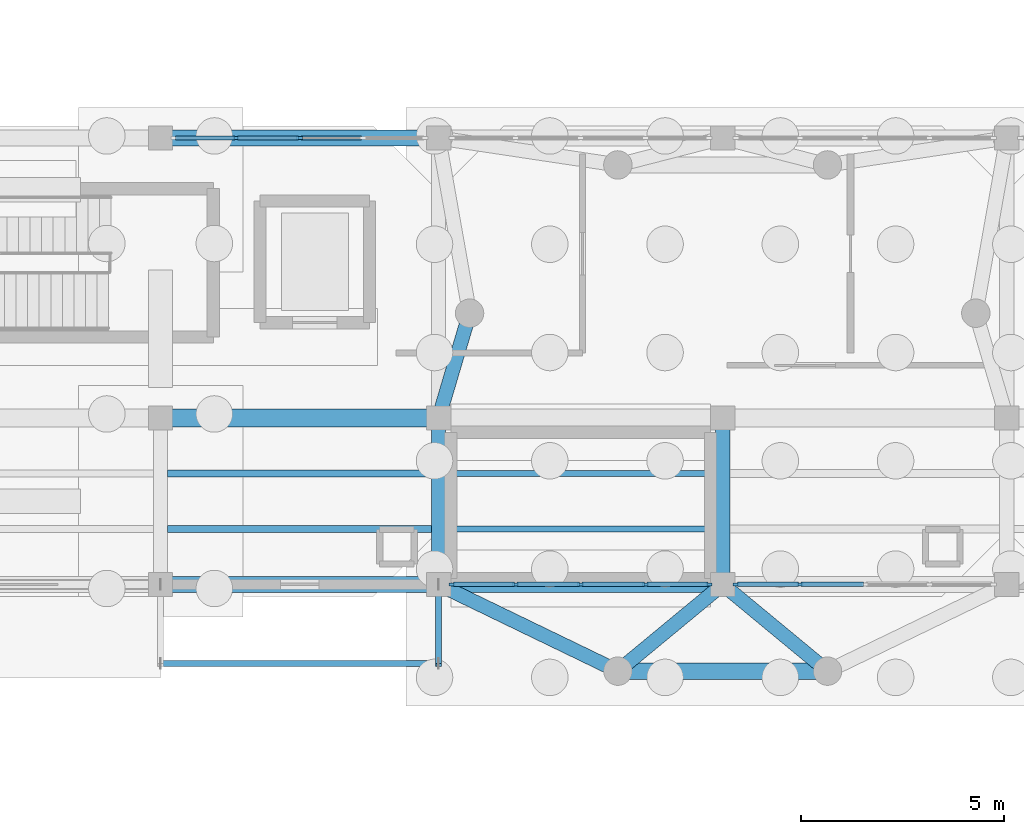
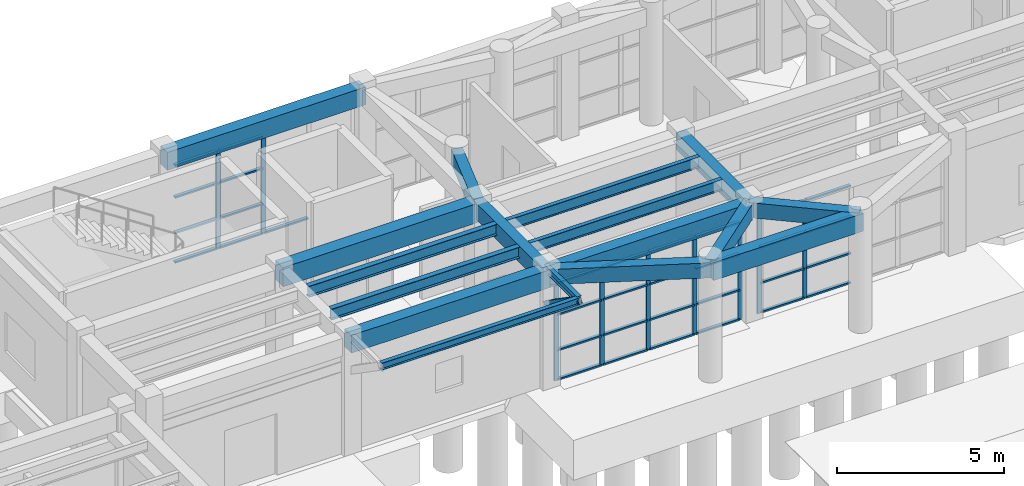
# One storey, part 10 of 41: 43 members, 17 beams, 3 elements without a shape of their own.
"""IFC4 building model written with IfcOpenShell, lengths in metres."""

import ifcopenshell
import ifcopenshell.guid

model = None  # the IFC model being written
_history = None  # IfcOwnerHistory: only IFC2X3 demands one
_inside = {}  # id of a spatial element -> (the spatial element, [elements in it])
_under = {}  # id of a project, library or spatial element -> (it, [spatial elements below it])
_declared = {}  # id of a project -> (the project, [libraries it declares])
_typed = {}  # id of a type object -> (the type object, [elements of that type])
_made_of = {}  # id of a material, layer set ... -> (it, [elements and type objects made of it])


def new_model(schema):
    """Start an empty IFC model of exactly this schema.

    Asked for "IFC4X3", IfcOpenShell would pick the latest addendum, in which some entities
    have other attributes; the version numbers below select the first issue.
    IFC2X3 requires an IfcOwnerHistory on every rooted entity: one is made here for all.
    """
    global model, _history
    if schema == "IFC4X3":
        model = ifcopenshell.file(schema_version=(4, 3, 0, 0))
    else:
        model = ifcopenshell.file(schema=schema)
    _inside.clear()
    _under.clear()
    _declared.clear()
    _typed.clear()
    _made_of.clear()
    _history = None
    if model.schema == "IFC2X3":
        org = make("IfcOrganization", Name="unknown")
        user = make(
            "IfcPersonAndOrganization",
            ThePerson=make("IfcPerson", FamilyName="unknown"),
            TheOrganization=org,
        )
        app = make(
            "IfcApplication",
            ApplicationDeveloper=org,
            Version="unknown",
            ApplicationFullName="unknown",
            ApplicationIdentifier="unknown",
        )
        _history = make(
            "IfcOwnerHistory",
            OwningUser=user,
            OwningApplication=app,
            ChangeAction="ADDED",
            CreationDate=0,
        )
    return model


def make(cls, **values):
    """One entity of the class cls with the attributes given. An attribute that is None is left unset."""
    return model.create_entity(
        cls, **{name: value for name, value in values.items() if value is not None}
    )


def rooted(cls, **values):
    """An entity with a GlobalId (a new one), such as an element, a storey or a relation."""
    return make(cls, GlobalId=ifcopenshell.guid.new(), OwnerHistory=_history, **values)


def si_unit(unit_type, name, prefix=None):
    """IfcSIUnit, for example si_unit("LENGTHUNIT", "METRE", prefix="MILLI")."""
    return make("IfcSIUnit", UnitType=unit_type, Prefix=prefix, Name=name)


def assignment(units):
    """IfcUnitAssignment: the units of a project."""
    return None if units is None else make("IfcUnitAssignment", Units=units)


def point(xyz):
    """IfcCartesianPoint."""
    return None if xyz is None else make("IfcCartesianPoint", Coordinates=xyz)


def direction(xyz):
    """IfcDirection."""
    return None if xyz is None else make("IfcDirection", DirectionRatios=xyz)


def frame(location, z_axis=None, x_axis=None):
    """IfcAxis2Placement3D, a coordinate frame: its origin and axes. An axis left out is left unset."""
    return make(
        "IfcAxis2Placement3D",
        Location=point(location),
        Axis=direction(z_axis),
        RefDirection=direction(x_axis),
    )


def frame_2d(location, x_axis=None):
    """IfcAxis2Placement2D, a coordinate frame in the plane: its origin and x axis."""
    return make(
        "IfcAxis2Placement2D", Location=point(location), RefDirection=direction(x_axis)
    )


def origin():
    """The frame at (0, 0, 0) with its axes left unset."""
    return frame((0.0, 0.0, 0.0))


def origin_2d():
    """The frame at (0, 0) in the plane with its x axis left unset."""
    return frame_2d((0.0, 0.0))


def place(relative_to, where):
    """IfcLocalPlacement: puts the frame where relative to a parent placement (None: the world)."""
    return make(
        "IfcLocalPlacement", PlacementRelTo=relative_to, RelativePlacement=where
    )


def context(
    kind, dimensions, precision=None, world=None, true_north=None, identifier=None
):
    """IfcGeometricRepresentationContext, for example the 3D "Model" context."""
    return make(
        "IfcGeometricRepresentationContext",
        ContextIdentifier=identifier,
        ContextType=kind,
        CoordinateSpaceDimension=dimensions,
        Precision=precision,
        WorldCoordinateSystem=world,
        TrueNorth=true_north,
    )


def subcontext(parent, identifier, kind, view, scale=None):
    """IfcGeometricRepresentationSubContext, for example "Body" below "Model"."""
    return make(
        "IfcGeometricRepresentationSubContext",
        ContextIdentifier=identifier,
        ContextType=kind,
        ParentContext=parent,
        TargetScale=scale,
        TargetView=view,
    )


def project(units=None, contexts=None):
    """IfcProject with its units and contexts."""
    return rooted(
        "IfcProject",
        Name="project",
        RepresentationContexts=contexts,
        UnitsInContext=assignment(units),
    )


def spatial(cls, under=None, at=None, **own):
    """A site, building, storey or space (cls), placed at a placement, below another one or the project."""
    s = rooted(cls, ObjectPlacement=at, **own)
    if under is not None:
        _under.setdefault(under.id(), (under, []))[1].append(s)
    return s


def profile(cls, at=None, kind="AREA", **sizes):
    """A parametric profile (cls). Its sizes go by their IFC names, for example OverallWidth=200.0."""
    return make(cls, ProfileType=kind, Position=at, **sizes)


def rectangle(**sizes):
    """IfcRectangleProfileDef."""
    return profile("IfcRectangleProfileDef", **sizes)


def hollow_rectangle(**sizes):
    """IfcRectangleHollowProfileDef."""
    return profile("IfcRectangleHollowProfileDef", **sizes)


def i_section(**sizes):
    """IfcIShapeProfileDef."""
    return profile("IfcIShapeProfileDef", **sizes)


def extrude(swept, where, along, depth):
    """IfcExtrudedAreaSolid: the profile swept, set in the frame where, extruded along a direction by depth."""
    return make(
        "IfcExtrudedAreaSolid",
        SweptArea=swept,
        Position=where,
        ExtrudedDirection=direction(along),
        Depth=depth,
    )


def shape(context_of_items, identifier, shape_type, items):
    """IfcShapeRepresentation: the items that make up one representation, for example the "Body"."""
    return make(
        "IfcShapeRepresentation",
        ContextOfItems=context_of_items,
        RepresentationIdentifier=identifier,
        RepresentationType=shape_type,
        Items=items,
    )


def material(Name=None, Category=None):
    """IfcMaterial."""
    return make("IfcMaterial", Name=Name, Category=Category)


def layer(
    of_material, thickness, ventilated=None, Name=None, Category=None, Priority=None
):
    """IfcMaterialLayer: one layer of a wall or slab, of a material (None: an air gap)."""
    return make(
        "IfcMaterialLayer",
        Material=of_material,
        LayerThickness=thickness,
        IsVentilated=ventilated,
        Name=Name,
        Category=Category,
        Priority=Priority,
    )


def layer_set(layers, Name=None):
    """IfcMaterialLayerSet."""
    return make("IfcMaterialLayerSet", MaterialLayers=layers, LayerSetName=Name)


def material_profile(
    of_material, cross_section, Name=None, Category=None, Priority=None
):
    """IfcMaterialProfile: a cross section and its material."""
    return make(
        "IfcMaterialProfile",
        Name=Name,
        Material=of_material,
        Profile=cross_section,
        Priority=Priority,
        Category=Category,
    )


def profile_set(profiles, Name=None, composite=None):
    """IfcMaterialProfileSet."""
    return make(
        "IfcMaterialProfileSet",
        Name=Name,
        MaterialProfiles=profiles,
        CompositeProfile=composite,
    )


def made_of(thing, what):
    """Note that an element or type object is made of a material, layer set ...; save() writes the relation."""
    if what is not None:
        _made_of.setdefault(what.id(), (what, []))[1].append(thing)
    return thing


def type_object(cls, material=None, **own):
    """A type object (cls), such as IfcWallType, which elements share."""
    return made_of(rooted(cls, **own), material)


def element(
    cls,
    number,
    at=None,
    inside=None,
    cuts=None,
    type_object=None,
    material=None,
    context=None,
    identifier="Body",
    shape_type=None,
    held_by="IfcProductDefinitionShape",
    body=None,
    shapes=None,
    **own,
):
    """One element of the class cls, such as IfcWall. Its Tag is "e" and its number.

    at: its placement. inside: the storey or other place that contains it. cuts: it is an
    opening in that element (IfcRelVoidsElement). A single representation is given by context,
    identifier, shape_type and body (its items); several are given by shapes. held_by: the class
    of the entity that holds the representations. save() writes the other relations.
    """
    e = rooted(cls, Tag="e%d" % number, ObjectPlacement=at, **own)
    if body is not None:
        shapes = [shape(context, identifier, shape_type, body)]
    if shapes is not None:
        e.Representation = make(held_by, Representations=shapes)
    if inside is not None:
        _inside.setdefault(inside.id(), (inside, []))[1].append(e)
    if cuts is not None:
        rooted(
            "IfcRelVoidsElement", RelatingBuildingElement=cuts, RelatedOpeningElement=e
        )
    if type_object is not None:
        _typed.setdefault(type_object.id(), (type_object, []))[1].append(e)
    return made_of(e, material)


def aggregate(whole, parts):
    """IfcRelAggregates: a whole, such as a stair, and the parts it consists of."""
    return rooted("IfcRelAggregates", RelatingObject=whole, RelatedObjects=parts)


def save(model, path):
    """Write the relations noted so far, then the file.

    IfcRelAggregates (storeys below a building ...), IfcRelContainedInSpatialStructure (elements
    in a storey), IfcRelDefinesByType, IfcRelAssociatesMaterial and IfcRelDeclares: one each for
    every whole, place, type object, material and project.
    """
    for whole, parts in _under.values():
        aggregate(whole, parts)
    for where, things in _inside.values():
        rooted(
            "IfcRelContainedInSpatialStructure",
            RelatedElements=things,
            RelatingStructure=where,
        )
    for kind, things in _typed.values():
        rooted("IfcRelDefinesByType", RelatedObjects=things, RelatingType=kind)
    for what, things in _made_of.values():
        rooted("IfcRelAssociatesMaterial", RelatedObjects=things, RelatingMaterial=what)
    for by, libraries in _declared.values():
        rooted("IfcRelDeclares", RelatingContext=by, RelatedDefinitions=libraries)
    model.write(path)


model = new_model("IFC4")

# Units and contexts
model_context = context("Model", 3, precision=1e-05, world=origin(), true_north=direction((0.0, 1.0)))
body_context = subcontext(model_context, "Body", "Model", "MODEL_VIEW")
ifc_project = project(units=[si_unit("LENGTHUNIT", "METRE"), si_unit("AREAUNIT", "SQUARE_METRE"), si_unit("VOLUMEUNIT", "CUBIC_METRE"), si_unit("PLANEANGLEUNIT", "RADIAN"), si_unit("MASSUNIT", "GRAM", prefix="KILO")], contexts=[model_context])

# Site, building, storey
site_placement = place(None, origin())
site = spatial("IfcSite", under=ifc_project, at=site_placement, CompositionType="ELEMENT")
building_placement = place(site_placement, origin())
building = spatial("IfcBuilding", under=site, at=building_placement, Name="Candilejo Ridge Gondola Terminal", CompositionType="ELEMENT")
storey_placement = place(building_placement, origin())
storey = spatial("IfcBuildingStorey", under=building, at=storey_placement, Name="L00", CompositionType="ELEMENT", Elevation=0.0)

# Curtain wall, members
ifc_material_1 = material(Name="Anodised aluminium AA 6063-T6", Category="aluminium")
ifc_layer_1 = layer(ifc_material_1, 0.169921875)
ifc_layer_set_1 = layer_set([ifc_layer_1], Name="ARC-CW-DRUM-3400-625X359")
curtain_wall_type_1 = type_object("IfcCurtainWallType", Name="ARC-CW-DRUM-3400-625X359", PredefinedType="NOTDEFINED", material=ifc_layer_set_1)
curtain_wall_1_placement = place(storey_placement, origin())
curtain_wall_1 = element("IfcCurtainWall", 1, at=curtain_wall_1_placement, inside=storey, type_object=curtain_wall_type_1, Name="Curtain wall V2 L00-028", PredefinedType="NOTDEFINED")
ifc_material_2 = material(Name="Anodised aluminium AA 6063-T6", Category="aluminium")
ifc_material_profile_1 = material_profile(ifc_material_2, rectangle(XDim=0.06494140625, YDim=0.14990234375, at=origin_2d()))
ifc_profile_set_1 = profile_set([ifc_material_profile_1], Name="Anodised aluminium AA 6063-T6")
member_type_1 = type_object("IfcMemberType", Name="ARC-CW-MULLION-150", PredefinedType="MULLION", material=ifc_profile_set_1)
member_1_placement = place(storey_placement, frame((53.362548828125, 36.699951171875, 0.0), z_axis=(0.0, 0.0, 1.0), x_axis=(0.0, 1.0, 0.0)))
member_1 = element("IfcMember", 2, at=member_1_placement, type_object=member_type_1, Name="CW-62X35 mullion 2", PredefinedType="MULLION", context=body_context, shape_type="SweptSolid", body=[
    extrude(rectangle(XDim=0.06494140625, YDim=0.14990234375, at=origin_2d()), origin(), (0.0, 0.0, 1.0), 3.590087890625),
])
member_2_placement = place(storey_placement, frame((54.925048828125, 36.699951171875, 0.0), z_axis=(0.0, 0.0, 1.0), x_axis=(0.0, 1.0, 0.0)))
member_2 = element("IfcMember", 3, at=member_2_placement, type_object=member_type_1, Name="CW-62X35 mullion 3", PredefinedType="MULLION", context=body_context, shape_type="SweptSolid", body=[
    extrude(rectangle(XDim=0.06494140625, YDim=0.14990234375, at=origin_2d()), origin(), (0.0, 0.0, 1.0), 3.590087890625),
])

ifc_material_3 = material(Name="Anodised aluminium AA 6063-T6", Category="aluminium")
ifc_layer_2 = layer(ifc_material_3, 0.169921875)
ifc_layer_set_2 = layer_set([ifc_layer_2], Name="ARC-CW-DRUM-3400-640X359")
curtain_wall_type_2 = type_object("IfcCurtainWallType", Name="ARC-CW-DRUM-3400-640X359", PredefinedType="NOTDEFINED", material=ifc_layer_set_2)
curtain_wall_2_placement = place(storey_placement, origin())
curtain_wall_2 = element("IfcCurtainWall", 4, at=curtain_wall_2_placement, inside=storey, type_object=curtain_wall_type_2, Name="Curtain wall V2 L00-030", PredefinedType="NOTDEFINED")
member_3_placement = place(storey_placement, frame((58.6826171875, 25.699951171875, 0.0), z_axis=(0.0, 0.0, 1.0), x_axis=(0.0, 1.0, 0.0)))
member_3 = element("IfcMember", 5, at=member_3_placement, type_object=member_type_1, Name="CW-64X35 mullion 1", PredefinedType="MULLION", context=body_context, shape_type="SweptSolid", body=[
    extrude(rectangle(XDim=0.06494140625, YDim=0.14990234375, at=origin_2d()), origin(), (0.0, 0.0, 1.0), 3.590087890625),
])
member_4_placement = place(storey_placement, frame((60.25, 25.699951171875, 0.0), z_axis=(0.0, 0.0, 1.0), x_axis=(0.0, 1.0, 0.0)))
member_4 = element("IfcMember", 6, at=member_4_placement, type_object=member_type_1, Name="CW-64X35 mullion 2", PredefinedType="MULLION", context=body_context, shape_type="SweptSolid", body=[
    extrude(rectangle(XDim=0.06494140625, YDim=0.14990234375, at=origin_2d()), origin(), (0.0, 0.0, 1.0), 3.590087890625),
])
member_5_placement = place(storey_placement, frame((61.85009765625, 25.699951171875, 0.0), z_axis=(0.0, 0.0, 1.0), x_axis=(0.0, 1.0, 0.0)))
member_5 = element("IfcMember", 7, at=member_5_placement, type_object=member_type_1, Name="CW-64X35 mullion 3", PredefinedType="MULLION", context=body_context, shape_type="SweptSolid", body=[
    extrude(rectangle(XDim=0.06494140625, YDim=0.14990234375, at=origin_2d()), origin(), (0.0, 0.0, 1.0), 3.590087890625),
])
member_6_placement = place(storey_placement, frame((63.449951171875, 25.699951171875, 0.0), z_axis=(0.0, 0.0, 1.0), x_axis=(0.0, 1.0, 0.0)))
member_6 = element("IfcMember", 8, at=member_6_placement, type_object=member_type_1, Name="CW-64X35 mullion 4", PredefinedType="MULLION", context=body_context, shape_type="SweptSolid", body=[
    extrude(rectangle(XDim=0.06494140625, YDim=0.14990234375, at=origin_2d()), origin(), (0.0, 0.0, 1.0), 3.590087890625),
])
member_7_placement = place(storey_placement, frame((65.017578125, 25.699951171875, 0.0), z_axis=(0.0, 0.0, 1.0), x_axis=(0.0, 1.0, 0.0)))
member_7 = element("IfcMember", 9, at=member_7_placement, type_object=member_type_1, Name="CW-64X35 mullion 5", PredefinedType="MULLION", context=body_context, shape_type="SweptSolid", body=[
    extrude(rectangle(XDim=0.06494140625, YDim=0.14990234375, at=origin_2d()), origin(), (0.0, 0.0, 1.0), 3.590087890625),
])

curtain_wall_3_placement = place(storey_placement, origin())
curtain_wall_3 = element("IfcCurtainWall", 10, at=curtain_wall_3_placement, inside=storey, type_object=curtain_wall_type_2, Name="Curtain wall V2 L00-032", PredefinedType="NOTDEFINED")
member_8_placement = place(storey_placement, frame((65.6826171875, 25.699951171875, 0.0), z_axis=(0.0, 0.0, 1.0), x_axis=(0.0, 1.0, 0.0)))
member_8 = element("IfcMember", 11, at=member_8_placement, type_object=member_type_1, Name="CW-64X35 mullion 1", PredefinedType="MULLION", context=body_context, shape_type="SweptSolid", body=[
    extrude(rectangle(XDim=0.06494140625, YDim=0.14990234375, at=origin_2d()), origin(), (0.0, 0.0, 1.0), 3.590087890625),
])
member_9_placement = place(storey_placement, frame((67.25, 25.699951171875, 0.0), z_axis=(0.0, 0.0, 1.0), x_axis=(0.0, 1.0, 0.0)))
member_9 = element("IfcMember", 12, at=member_9_placement, type_object=member_type_1, Name="CW-64X35 mullion 2", PredefinedType="MULLION", context=body_context, shape_type="SweptSolid", body=[
    extrude(rectangle(XDim=0.06494140625, YDim=0.14990234375, at=origin_2d()), origin(), (0.0, 0.0, 1.0), 3.590087890625),
])

# Member
ifc_material_4 = material(Name="Anodised aluminium AA 6063-T6", Category="aluminium")
ifc_material_profile_2 = material_profile(ifc_material_4, rectangle(XDim=0.110107421875, YDim=0.06005859375, at=origin_2d()))
ifc_profile_set_2 = profile_set([ifc_material_profile_2], Name="Anodised aluminium AA 6063-T6")
member_type_2 = type_object("IfcMemberType", Name="ARC-CW-TRANSOM-110", PredefinedType="USERDEFINED", material=ifc_profile_set_2)
member_10_placement = place(storey_placement, frame((51.864990234375, 36.699951171875, 0.030029296875), z_axis=(1.0, 0.0, 0.0), x_axis=(0.0, 1.0, 0.0)))
member_10 = element("IfcMember", 13, at=member_10_placement, type_object=member_type_2, Name="CW-62X35 transom 1.1", ObjectType="TRANSOM", PredefinedType="USERDEFINED", context=body_context, shape_type="SweptSolid", body=[
    extrude(rectangle(XDim=0.110107421875, YDim=0.06005859375, at=origin_2d()), origin(), (0.0, 0.0, 1.0), 1.465087890625),
])

member_11_placement = place(storey_placement, frame((51.864990234375, 36.699951171875, 1.10009765625), z_axis=(1.0, 0.0, 0.0), x_axis=(0.0, 1.0, 0.0)))
member_11 = element("IfcMember", 14, at=member_11_placement, type_object=member_type_2, Name="CW-62X35 transom 1.2", ObjectType="TRANSOM", PredefinedType="USERDEFINED", context=body_context, shape_type="SweptSolid", body=[
    extrude(rectangle(XDim=0.110107421875, YDim=0.06005859375, at=origin_2d()), origin(), (0.0, 0.0, 1.0), 1.465087890625),
])

member_12_placement = place(storey_placement, frame((51.864990234375, 36.699951171875, 2.39990234375), z_axis=(1.0, 0.0, 0.0), x_axis=(0.0, 1.0, 0.0)))
member_12 = element("IfcMember", 15, at=member_12_placement, type_object=member_type_2, Name="CW-62X35 transom 1.3", ObjectType="TRANSOM", PredefinedType="USERDEFINED", context=body_context, shape_type="SweptSolid", body=[
    extrude(rectangle(XDim=0.110107421875, YDim=0.06005859375, at=origin_2d()), origin(), (0.0, 0.0, 1.0), 1.465087890625),
])

member_13_placement = place(storey_placement, frame((51.864990234375, 36.699951171875, 3.56005859375), z_axis=(1.0, 0.0, 0.0), x_axis=(0.0, 1.0, 0.0)))
member_13 = element("IfcMember", 16, at=member_13_placement, type_object=member_type_2, Name="CW-62X35 transom 1.4", ObjectType="TRANSOM", PredefinedType="USERDEFINED", context=body_context, shape_type="SweptSolid", body=[
    extrude(rectangle(XDim=0.110107421875, YDim=0.06005859375, at=origin_2d()), origin(), (0.0, 0.0, 1.0), 1.465087890625),
])

member_14_placement = place(storey_placement, frame((53.39501953125, 36.699951171875, 0.030029296875), z_axis=(1.0, 0.0, 0.0), x_axis=(0.0, 1.0, 0.0)))
member_14 = element("IfcMember", 17, at=member_14_placement, type_object=member_type_2, Name="CW-62X35 transom 2.1", ObjectType="TRANSOM", PredefinedType="USERDEFINED", context=body_context, shape_type="SweptSolid", body=[
    extrude(rectangle(XDim=0.110107421875, YDim=0.06005859375, at=origin_2d()), origin(), (0.0, 0.0, 1.0), 1.49755859375),
])

member_15_placement = place(storey_placement, frame((53.39501953125, 36.699951171875, 1.10009765625), z_axis=(1.0, 0.0, 0.0), x_axis=(0.0, 1.0, 0.0)))
member_15 = element("IfcMember", 18, at=member_15_placement, type_object=member_type_2, Name="CW-62X35 transom 2.2", ObjectType="TRANSOM", PredefinedType="USERDEFINED", context=body_context, shape_type="SweptSolid", body=[
    extrude(rectangle(XDim=0.110107421875, YDim=0.06005859375, at=origin_2d()), origin(), (0.0, 0.0, 1.0), 1.49755859375),
])

member_16_placement = place(storey_placement, frame((53.39501953125, 36.699951171875, 2.39990234375), z_axis=(1.0, 0.0, 0.0), x_axis=(0.0, 1.0, 0.0)))
member_16 = element("IfcMember", 19, at=member_16_placement, type_object=member_type_2, Name="CW-62X35 transom 2.3", ObjectType="TRANSOM", PredefinedType="USERDEFINED", context=body_context, shape_type="SweptSolid", body=[
    extrude(rectangle(XDim=0.110107421875, YDim=0.06005859375, at=origin_2d()), origin(), (0.0, 0.0, 1.0), 1.49755859375),
])

member_17_placement = place(storey_placement, frame((53.39501953125, 36.699951171875, 3.56005859375), z_axis=(1.0, 0.0, 0.0), x_axis=(0.0, 1.0, 0.0)))
member_17 = element("IfcMember", 20, at=member_17_placement, type_object=member_type_2, Name="CW-62X35 transom 2.4", ObjectType="TRANSOM", PredefinedType="USERDEFINED", context=body_context, shape_type="SweptSolid", body=[
    extrude(rectangle(XDim=0.110107421875, YDim=0.06005859375, at=origin_2d()), origin(), (0.0, 0.0, 1.0), 1.49755859375),
])

member_18_placement = place(storey_placement, frame((54.95751953125, 36.699951171875, 0.030029296875), z_axis=(1.0, 0.0, 0.0), x_axis=(0.0, 1.0, 0.0)))
member_18 = element("IfcMember", 21, at=member_18_placement, type_object=member_type_2, Name="CW-62X35 transom 3.1", ObjectType="TRANSOM", PredefinedType="USERDEFINED", context=body_context, shape_type="SweptSolid", body=[
    extrude(rectangle(XDim=0.110107421875, YDim=0.06005859375, at=origin_2d()), origin(), (0.0, 0.0, 1.0), 1.49755859375),
])

aggregate(curtain_wall_1, [member_1, member_2, member_10, member_11, member_12, member_13, member_14, member_15, member_16, member_17, member_18])

member_19_placement = place(storey_placement, frame((58.715087890625, 25.699951171875, 0.030029296875), z_axis=(1.0, 0.0, 0.0), x_axis=(0.0, 1.0, 0.0)))
member_19 = element("IfcMember", 22, at=member_19_placement, type_object=member_type_2, Name="CW-64X35 transom 1.1", ObjectType="TRANSOM", PredefinedType="USERDEFINED", context=body_context, shape_type="SweptSolid", body=[
    extrude(rectangle(XDim=0.110107421875, YDim=0.06005859375, at=origin_2d()), origin(), (0.0, 0.0, 1.0), 1.50244140625),
])

member_20_placement = place(storey_placement, frame((58.715087890625, 25.699951171875, 1.10009765625), z_axis=(1.0, 0.0, 0.0), x_axis=(0.0, 1.0, 0.0)))
member_20 = element("IfcMember", 23, at=member_20_placement, type_object=member_type_2, Name="CW-64X35 transom 1.2", ObjectType="TRANSOM", PredefinedType="USERDEFINED", context=body_context, shape_type="SweptSolid", body=[
    extrude(rectangle(XDim=0.110107421875, YDim=0.06005859375, at=origin_2d()), origin(), (0.0, 0.0, 1.0), 1.50244140625),
])

member_21_placement = place(storey_placement, frame((58.715087890625, 25.699951171875, 2.39990234375), z_axis=(1.0, 0.0, 0.0), x_axis=(0.0, 1.0, 0.0)))
member_21 = element("IfcMember", 24, at=member_21_placement, type_object=member_type_2, Name="CW-64X35 transom 1.3", ObjectType="TRANSOM", PredefinedType="USERDEFINED", context=body_context, shape_type="SweptSolid", body=[
    extrude(rectangle(XDim=0.110107421875, YDim=0.06005859375, at=origin_2d()), origin(), (0.0, 0.0, 1.0), 1.50244140625),
])

member_22_placement = place(storey_placement, frame((58.715087890625, 25.699951171875, 3.56005859375), z_axis=(1.0, 0.0, 0.0), x_axis=(0.0, 1.0, 0.0)))
member_22 = element("IfcMember", 25, at=member_22_placement, type_object=member_type_2, Name="CW-64X35 transom 1.4", ObjectType="TRANSOM", PredefinedType="USERDEFINED", context=body_context, shape_type="SweptSolid", body=[
    extrude(rectangle(XDim=0.110107421875, YDim=0.06005859375, at=origin_2d()), origin(), (0.0, 0.0, 1.0), 1.50244140625),
])

member_23_placement = place(storey_placement, frame((60.282470703125, 25.699951171875, 0.030029296875), z_axis=(1.0, 0.0, 0.0), x_axis=(0.0, 1.0, 0.0)))
member_23 = element("IfcMember", 26, at=member_23_placement, type_object=member_type_2, Name="CW-64X35 transom 2.1", ObjectType="TRANSOM", PredefinedType="USERDEFINED", context=body_context, shape_type="SweptSolid", body=[
    extrude(rectangle(XDim=0.110107421875, YDim=0.06005859375, at=origin_2d()), origin(), (0.0, 0.0, 1.0), 1.534912109375),
])

member_24_placement = place(storey_placement, frame((60.282470703125, 25.699951171875, 1.10009765625), z_axis=(1.0, 0.0, 0.0), x_axis=(0.0, 1.0, 0.0)))
member_24 = element("IfcMember", 27, at=member_24_placement, type_object=member_type_2, Name="CW-64X35 transom 2.2", ObjectType="TRANSOM", PredefinedType="USERDEFINED", context=body_context, shape_type="SweptSolid", body=[
    extrude(rectangle(XDim=0.110107421875, YDim=0.06005859375, at=origin_2d()), origin(), (0.0, 0.0, 1.0), 1.534912109375),
])

member_25_placement = place(storey_placement, frame((60.282470703125, 25.699951171875, 2.39990234375), z_axis=(1.0, 0.0, 0.0), x_axis=(0.0, 1.0, 0.0)))
member_25 = element("IfcMember", 28, at=member_25_placement, type_object=member_type_2, Name="CW-64X35 transom 2.3", ObjectType="TRANSOM", PredefinedType="USERDEFINED", context=body_context, shape_type="SweptSolid", body=[
    extrude(rectangle(XDim=0.110107421875, YDim=0.06005859375, at=origin_2d()), origin(), (0.0, 0.0, 1.0), 1.534912109375),
])

member_26_placement = place(storey_placement, frame((60.282470703125, 25.699951171875, 3.56005859375), z_axis=(1.0, 0.0, 0.0), x_axis=(0.0, 1.0, 0.0)))
member_26 = element("IfcMember", 29, at=member_26_placement, type_object=member_type_2, Name="CW-64X35 transom 2.4", ObjectType="TRANSOM", PredefinedType="USERDEFINED", context=body_context, shape_type="SweptSolid", body=[
    extrude(rectangle(XDim=0.110107421875, YDim=0.06005859375, at=origin_2d()), origin(), (0.0, 0.0, 1.0), 1.534912109375),
])

member_27_placement = place(storey_placement, frame((61.882568359375, 25.699951171875, 0.030029296875), z_axis=(1.0, 0.0, 0.0), x_axis=(0.0, 1.0, 0.0)))
member_27 = element("IfcMember", 30, at=member_27_placement, type_object=member_type_2, Name="CW-64X35 transom 3.1", ObjectType="TRANSOM", PredefinedType="USERDEFINED", context=body_context, shape_type="SweptSolid", body=[
    extrude(rectangle(XDim=0.110107421875, YDim=0.06005859375, at=origin_2d()), origin(), (0.0, 0.0, 1.0), 1.534912109375),
])

member_28_placement = place(storey_placement, frame((61.882568359375, 25.699951171875, 1.10009765625), z_axis=(1.0, 0.0, 0.0), x_axis=(0.0, 1.0, 0.0)))
member_28 = element("IfcMember", 31, at=member_28_placement, type_object=member_type_2, Name="CW-64X35 transom 3.2", ObjectType="TRANSOM", PredefinedType="USERDEFINED", context=body_context, shape_type="SweptSolid", body=[
    extrude(rectangle(XDim=0.110107421875, YDim=0.06005859375, at=origin_2d()), origin(), (0.0, 0.0, 1.0), 1.534912109375),
])

member_29_placement = place(storey_placement, frame((61.882568359375, 25.699951171875, 2.39990234375), z_axis=(1.0, 0.0, 0.0), x_axis=(0.0, 1.0, 0.0)))
member_29 = element("IfcMember", 32, at=member_29_placement, type_object=member_type_2, Name="CW-64X35 transom 3.3", ObjectType="TRANSOM", PredefinedType="USERDEFINED", context=body_context, shape_type="SweptSolid", body=[
    extrude(rectangle(XDim=0.110107421875, YDim=0.06005859375, at=origin_2d()), origin(), (0.0, 0.0, 1.0), 1.534912109375),
])

member_30_placement = place(storey_placement, frame((61.882568359375, 25.699951171875, 3.56005859375), z_axis=(1.0, 0.0, 0.0), x_axis=(0.0, 1.0, 0.0)))
member_30 = element("IfcMember", 33, at=member_30_placement, type_object=member_type_2, Name="CW-64X35 transom 3.4", ObjectType="TRANSOM", PredefinedType="USERDEFINED", context=body_context, shape_type="SweptSolid", body=[
    extrude(rectangle(XDim=0.110107421875, YDim=0.06005859375, at=origin_2d()), origin(), (0.0, 0.0, 1.0), 1.534912109375),
])

member_31_placement = place(storey_placement, frame((63.482421875, 25.699951171875, 0.030029296875), z_axis=(1.0, 0.0, 0.0), x_axis=(0.0, 1.0, 0.0)))
member_31 = element("IfcMember", 34, at=member_31_placement, type_object=member_type_2, Name="CW-64X35 transom 4.1", ObjectType="TRANSOM", PredefinedType="USERDEFINED", context=body_context, shape_type="SweptSolid", body=[
    extrude(rectangle(XDim=0.110107421875, YDim=0.06005859375, at=origin_2d()), origin(), (0.0, 0.0, 1.0), 1.502685546875),
])

member_32_placement = place(storey_placement, frame((63.482421875, 25.699951171875, 1.10009765625), z_axis=(1.0, 0.0, 0.0), x_axis=(0.0, 1.0, 0.0)))
member_32 = element("IfcMember", 35, at=member_32_placement, type_object=member_type_2, Name="CW-64X35 transom 4.2", ObjectType="TRANSOM", PredefinedType="USERDEFINED", context=body_context, shape_type="SweptSolid", body=[
    extrude(rectangle(XDim=0.110107421875, YDim=0.06005859375, at=origin_2d()), origin(), (0.0, 0.0, 1.0), 1.502685546875),
])

member_33_placement = place(storey_placement, frame((63.482421875, 25.699951171875, 2.39990234375), z_axis=(1.0, 0.0, 0.0), x_axis=(0.0, 1.0, 0.0)))
member_33 = element("IfcMember", 36, at=member_33_placement, type_object=member_type_2, Name="CW-64X35 transom 4.3", ObjectType="TRANSOM", PredefinedType="USERDEFINED", context=body_context, shape_type="SweptSolid", body=[
    extrude(rectangle(XDim=0.110107421875, YDim=0.06005859375, at=origin_2d()), origin(), (0.0, 0.0, 1.0), 1.502685546875),
])

member_34_placement = place(storey_placement, frame((63.482421875, 25.699951171875, 3.56005859375), z_axis=(1.0, 0.0, 0.0), x_axis=(0.0, 1.0, 0.0)))
member_34 = element("IfcMember", 37, at=member_34_placement, type_object=member_type_2, Name="CW-64X35 transom 4.4", ObjectType="TRANSOM", PredefinedType="USERDEFINED", context=body_context, shape_type="SweptSolid", body=[
    extrude(rectangle(XDim=0.110107421875, YDim=0.06005859375, at=origin_2d()), origin(), (0.0, 0.0, 1.0), 1.502685546875),
])

aggregate(curtain_wall_2, [member_3, member_4, member_5, member_6, member_7, member_19, member_20, member_21, member_22, member_23, member_24, member_25, member_26, member_27, member_28, member_29, member_30, member_31, member_32, member_33, member_34])

member_35_placement = place(storey_placement, frame((65.715087890625, 25.699951171875, 0.030029296875), z_axis=(1.0, 0.0, 0.0), x_axis=(0.0, 1.0, 0.0)))
member_35 = element("IfcMember", 38, at=member_35_placement, type_object=member_type_2, Name="CW-64X35 transom 1.1", ObjectType="TRANSOM", PredefinedType="USERDEFINED", context=body_context, shape_type="SweptSolid", body=[
    extrude(rectangle(XDim=0.110107421875, YDim=0.06005859375, at=origin_2d()), origin(), (0.0, 0.0, 1.0), 1.50244140625),
])

member_36_placement = place(storey_placement, frame((65.715087890625, 25.699951171875, 1.10009765625), z_axis=(1.0, 0.0, 0.0), x_axis=(0.0, 1.0, 0.0)))
member_36 = element("IfcMember", 39, at=member_36_placement, type_object=member_type_2, Name="CW-64X35 transom 1.2", ObjectType="TRANSOM", PredefinedType="USERDEFINED", context=body_context, shape_type="SweptSolid", body=[
    extrude(rectangle(XDim=0.110107421875, YDim=0.06005859375, at=origin_2d()), origin(), (0.0, 0.0, 1.0), 1.50244140625),
])

member_37_placement = place(storey_placement, frame((65.715087890625, 25.699951171875, 2.39990234375), z_axis=(1.0, 0.0, 0.0), x_axis=(0.0, 1.0, 0.0)))
member_37 = element("IfcMember", 40, at=member_37_placement, type_object=member_type_2, Name="CW-64X35 transom 1.3", ObjectType="TRANSOM", PredefinedType="USERDEFINED", context=body_context, shape_type="SweptSolid", body=[
    extrude(rectangle(XDim=0.110107421875, YDim=0.06005859375, at=origin_2d()), origin(), (0.0, 0.0, 1.0), 1.50244140625),
])

member_38_placement = place(storey_placement, frame((65.715087890625, 25.699951171875, 3.56005859375), z_axis=(1.0, 0.0, 0.0), x_axis=(0.0, 1.0, 0.0)))
member_38 = element("IfcMember", 41, at=member_38_placement, type_object=member_type_2, Name="CW-64X35 transom 1.4", ObjectType="TRANSOM", PredefinedType="USERDEFINED", context=body_context, shape_type="SweptSolid", body=[
    extrude(rectangle(XDim=0.110107421875, YDim=0.06005859375, at=origin_2d()), origin(), (0.0, 0.0, 1.0), 1.50244140625),
])

member_39_placement = place(storey_placement, frame((67.282470703125, 25.699951171875, 0.030029296875), z_axis=(1.0, 0.0, 0.0), x_axis=(0.0, 1.0, 0.0)))
member_39 = element("IfcMember", 42, at=member_39_placement, type_object=member_type_2, Name="CW-64X35 transom 2.1", ObjectType="TRANSOM", PredefinedType="USERDEFINED", context=body_context, shape_type="SweptSolid", body=[
    extrude(rectangle(XDim=0.110107421875, YDim=0.06005859375, at=origin_2d()), origin(), (0.0, 0.0, 1.0), 1.534912109375),
])

member_40_placement = place(storey_placement, frame((67.282470703125, 25.699951171875, 1.10009765625), z_axis=(1.0, 0.0, 0.0), x_axis=(0.0, 1.0, 0.0)))
member_40 = element("IfcMember", 43, at=member_40_placement, type_object=member_type_2, Name="CW-64X35 transom 2.2", ObjectType="TRANSOM", PredefinedType="USERDEFINED", context=body_context, shape_type="SweptSolid", body=[
    extrude(rectangle(XDim=0.110107421875, YDim=0.06005859375, at=origin_2d()), origin(), (0.0, 0.0, 1.0), 1.534912109375),
])

member_41_placement = place(storey_placement, frame((67.282470703125, 25.699951171875, 2.39990234375), z_axis=(1.0, 0.0, 0.0), x_axis=(0.0, 1.0, 0.0)))
member_41 = element("IfcMember", 44, at=member_41_placement, type_object=member_type_2, Name="CW-64X35 transom 2.3", ObjectType="TRANSOM", PredefinedType="USERDEFINED", context=body_context, shape_type="SweptSolid", body=[
    extrude(rectangle(XDim=0.110107421875, YDim=0.06005859375, at=origin_2d()), origin(), (0.0, 0.0, 1.0), 1.534912109375),
])

member_42_placement = place(storey_placement, frame((67.282470703125, 25.699951171875, 3.56005859375), z_axis=(1.0, 0.0, 0.0), x_axis=(0.0, 1.0, 0.0)))
member_42 = element("IfcMember", 45, at=member_42_placement, type_object=member_type_2, Name="CW-64X35 transom 2.4", ObjectType="TRANSOM", PredefinedType="USERDEFINED", context=body_context, shape_type="SweptSolid", body=[
    extrude(rectangle(XDim=0.110107421875, YDim=0.06005859375, at=origin_2d()), origin(), (0.0, 0.0, 1.0), 1.534912109375),
])

aggregate(curtain_wall_3, [member_8, member_9, member_35, member_36, member_37, member_38, member_39, member_40, member_41, member_42])

# Beams
ifc_material_5 = material(Name="Concrete f'c 35 MPa (C35/45)", Category="concrete")
ifc_material_profile_3 = material_profile(ifc_material_5, rectangle(XDim=0.35009765625, YDim=0.550048828125, at=origin_2d()))
ifc_profile_set_3 = profile_set([ifc_material_profile_3], Name="Concrete f'c 35 MPa (C35/45)")
beam_type_1 = type_object("IfcBeamType", Name="STR-BM-RC350X550", PredefinedType="BEAM", material=ifc_profile_set_3)
beam_1_placement = place(storey_placement, frame((59.11376953125, 32.383056640625, 3.985107421875), z_axis=(-0.283520439807, -0.958966193466, 0.0), x_axis=(0.958966193466, -0.283520439807, 0.0)))
element("IfcBeam", 46, at=beam_1_placement, inside=storey, type_object=beam_type_1, Name="Rotunda radial tie beam L00 ROT4", PredefinedType="BEAM", context=body_context, shape_type="SweptSolid", body=[
    extrude(rectangle(XDim=0.35009765625, YDim=0.550048828125, at=origin_2d()), origin(), (0.0, 0.0, 1.0), 2.693603515625),
])
beam_2_placement = place(storey_placement, frame((62.766845703125, 23.563720703125, 3.985107421875), z_axis=(0.770633578777, 0.637278500548, 0.0), x_axis=(-0.637278500548, 0.770633578777, 0.0)))
element("IfcBeam", 47, at=beam_2_placement, inside=storey, type_object=beam_type_1, Name="Rotunda radial tie beam L00 ROT6", PredefinedType="BEAM", context=body_context, shape_type="SweptSolid", body=[
    extrude(rectangle(XDim=0.35009765625, YDim=0.550048828125, at=origin_2d()), origin(), (0.0, 0.0, 1.0), 3.35205078125),
])
beam_3_placement = place(storey_placement, frame((62.766845703125, 23.563720703125, 3.985107421875), z_axis=(-0.900231615241, 0.435411344501, 0.0), x_axis=(-0.435411344501, -0.900231615241, 0.0)))
element("IfcBeam", 48, at=beam_3_placement, inside=storey, type_object=beam_type_1, Name="Rotunda radial tie beam L00 ROT6", PredefinedType="BEAM", context=body_context, shape_type="SweptSolid", body=[
    extrude(rectangle(XDim=0.35009765625, YDim=0.550048828125, at=origin_2d()), origin(), (0.0, 0.0, 1.0), 4.90625),
])
beam_4_placement = place(storey_placement, frame((67.93310546875, 23.563720703125, 3.985107421875), z_axis=(-0.770603997541, 0.637314270178, 0.0), x_axis=(-0.637314270178, -0.770603997541, 0.0)))
element("IfcBeam", 49, at=beam_4_placement, inside=storey, type_object=beam_type_1, Name="Rotunda radial tie beam L00 ROT7", PredefinedType="BEAM", context=body_context, shape_type="SweptSolid", body=[
    extrude(rectangle(XDim=0.35009765625, YDim=0.550048828125, at=origin_2d()), origin(), (0.0, 0.0, 1.0), 3.351806640625),
])
ifc_material_6 = material(Name="Concrete f'c 35 MPa (C35/45)", Category="concrete")
ifc_material_profile_4 = material_profile(ifc_material_6, rectangle(XDim=0.35009765625, YDim=0.60009765625, at=origin_2d()))
ifc_profile_set_4 = profile_set([ifc_material_profile_4], Name="Concrete f'c 35 MPa (C35/45)")
beam_type_2 = type_object("IfcBeamType", Name="STR-BM-RC350X600", PredefinedType="BEAM", material=ifc_profile_set_4)
for number, where, z_axis, x_axis, name in (
    (50, (58.35009765625, 25.699951171875, 3.9599609375), (0.0, 1.0, 0.0), (-1.0, 0.0, 0.0), "Beam Y V2 L00 Y05-Y06@X09"),
    (51, (65.35009765625, 25.699951171875, 3.9599609375), (0.0, 1.0, 0.0), (-1.0, 0.0, 0.0), "Beam Y V2 L00 Y05-Y06@X10"),
):
    element("IfcBeam", number, at=place(storey_placement, frame(where, z_axis=z_axis, x_axis=x_axis)), inside=storey, type_object=beam_type_2, Name=name, PredefinedType="BEAM", context=body_context, shape_type="SweptSolid", body=[
        extrude(rectangle(XDim=0.35009765625, YDim=0.60009765625, at=origin_2d()), origin(), (0.0, 0.0, 1.0), 4.10009765625),
    ])
ifc_material_7 = material(Name="Concrete f'c 35 MPa (C35/45)", Category="concrete")
ifc_material_profile_5 = material_profile(ifc_material_7, rectangle(XDim=0.449951171875, YDim=0.699951171875, at=origin_2d()))
ifc_profile_set_5 = profile_set([ifc_material_profile_5], Name="Concrete f'c 35 MPa (C35/45)")
beam_type_3 = type_object("IfcBeamType", Name="STR-BM-RC450X700", PredefinedType="BEAM", material=ifc_profile_set_5)
beam_5_placement = place(storey_placement, frame((51.5, 29.800048828125, 3.909912109375), z_axis=(1.0, 0.0, 0.0), x_axis=(0.0, 1.0, 0.0)))
element("IfcBeam", 52, at=beam_5_placement, inside=storey, type_object=beam_type_3, Name="Beam X V2 L00 X08-X09@Y06", PredefinedType="BEAM", context=body_context, shape_type="SweptSolid", body=[
    extrude(rectangle(XDim=0.449951171875, YDim=0.699951171875, at=origin_2d()), origin(), (0.0, 0.0, 1.0), 6.85009765625),
])
ifc_material_8 = material(Name="Steel ASTM A992 Grade 50", Category="steel")
ifc_material_profile_6 = material_profile(ifc_material_8, i_section(OverallWidth=0.14599609375, OverallDepth=0.258056640625, WebThickness=0.006103515625, FlangeThickness=0.009033203125, at=origin_2d()))
ifc_profile_set_6 = profile_set([ifc_material_profile_6], Name="Steel ASTM A992 Grade 50")
beam_type_4 = type_object("IfcBeamType", Name="STR-JST-W250X33", PredefinedType="JOIST", material=ifc_profile_set_6)
beam_6_placement = place(storey_placement, frame((51.5, 23.75, 4.220947265625), z_axis=(1.0, 0.0, 0.0), x_axis=(0.0, 1.0, 0.0)))
element("IfcBeam", 53, at=beam_6_placement, inside=storey, type_object=beam_type_4, Name="Canopy edge beam CN-V2-S", PredefinedType="JOIST", context=body_context, shape_type="SweptSolid", body=[
    extrude(i_section(OverallWidth=0.14599609375, OverallDepth=0.258056640625, WebThickness=0.006103515625, FlangeThickness=0.009033203125, at=origin_2d()), origin(), (0.0, 0.0, 1.0), 6.85009765625),
])
beam_7_placement = place(storey_placement, frame((58.35009765625, 23.75, 4.220947265625), z_axis=(0.0, 1.0, 0.0), x_axis=(-1.0, 0.0, 0.0)))
element("IfcBeam", 54, at=beam_7_placement, inside=storey, type_object=beam_type_4, Name="Canopy bracket arm CN-V2-S-2", PredefinedType="JOIST", context=body_context, shape_type="SweptSolid", body=[
    extrude(i_section(OverallWidth=0.14599609375, OverallDepth=0.258056640625, WebThickness=0.006103515625, FlangeThickness=0.009033203125, at=origin_2d()), origin(), (0.0, 0.0, 1.0), 1.949951171875),
])
ifc_material_9 = material(Name="Steel ASTM A992 Grade 50", Category="steel")
ifc_material_profile_7 = material_profile(ifc_material_9, i_section(OverallWidth=0.139892578125, OverallDepth=0.403076171875, WebThickness=0.007080078125, FlangeThickness=0.01123046875, at=origin_2d()))
ifc_profile_set_7 = profile_set([ifc_material_profile_7], Name="Steel ASTM A992 Grade 50")
beam_type_5 = type_object("IfcBeamType", Name="STR-JST-W410X46", PredefinedType="JOIST", material=ifc_profile_set_7)
for number, where, z_axis, x_axis, name in (
    (55, (58.52490234375, 27.066650390625, 4.05859375), (1.0, 0.0, 0.0), (0.0, 1.0, 0.0), "Composite joist V2 L00-0202"),
    (56, (58.52490234375, 28.433349609375, 4.05859375), (1.0, 0.0, 0.0), (0.0, 1.0, 0.0), "Composite joist V2 L00-0203"),
):
    element("IfcBeam", number, at=place(storey_placement, frame(where, z_axis=z_axis, x_axis=x_axis)), inside=storey, type_object=beam_type_5, Name=name, PredefinedType="JOIST", context=body_context, shape_type="SweptSolid", body=[
        extrude(i_section(OverallWidth=0.139892578125, OverallDepth=0.403076171875, WebThickness=0.007080078125, FlangeThickness=0.01123046875, at=origin_2d()), origin(), (0.0, 0.0, 1.0), 6.650146484375),
    ])
ifc_material_10 = material(Name="Steel ASTM A992 Grade 50", Category="steel")
ifc_material_profile_8 = material_profile(ifc_material_10, i_section(OverallWidth=0.177978515625, OverallDepth=0.406982421875, WebThickness=0.0078125, FlangeThickness=0.0126953125, at=origin_2d()))
ifc_profile_set_8 = profile_set([ifc_material_profile_8], Name="Steel ASTM A992 Grade 50")
beam_type_6 = type_object("IfcBeamType", Name="STR-JST-W410X60", PredefinedType="JOIST", material=ifc_profile_set_8)
for number, where, z_axis, x_axis, name in (
    (57, (51.675048828125, 27.066650390625, 4.056396484375), (1.0, 0.0, 0.0), (0.0, 1.0, 0.0), "Composite joist V2 L00-0200"),
    (58, (51.675048828125, 28.433349609375, 4.056396484375), (1.0, 0.0, 0.0), (0.0, 1.0, 0.0), "Composite joist V2 L00-0201"),
):
    element("IfcBeam", number, at=place(storey_placement, frame(where, z_axis=z_axis, x_axis=x_axis)), inside=storey, type_object=beam_type_6, Name=name, PredefinedType="JOIST", context=body_context, shape_type="SweptSolid", body=[
        extrude(i_section(OverallWidth=0.177978515625, OverallDepth=0.406982421875, WebThickness=0.0078125, FlangeThickness=0.0126953125, at=origin_2d()), origin(), (0.0, 0.0, 1.0), 6.5),
    ])
ifc_material_11 = material(Name="Concrete f'c 35 MPa (C35/45)", Category="concrete")
ifc_material_profile_9 = material_profile(ifc_material_11, rectangle(XDim=0.39990234375, YDim=0.64990234375, at=origin_2d()))
ifc_profile_set_9 = profile_set([ifc_material_profile_9], Name="Concrete f'c 35 MPa (C35/45)")
beam_type_7 = type_object("IfcBeamType", Name="STR-SPN-RC400X650", PredefinedType="SPANDREL", material=ifc_profile_set_9)
beam_8_placement = place(storey_placement, frame((51.5, 25.699951171875, 3.93505859375), z_axis=(1.0, 0.0, 0.0), x_axis=(0.0, 1.0, 0.0)))
element("IfcBeam", 59, at=beam_8_placement, inside=storey, type_object=beam_type_7, Name="Beam X V2 L00 X08-X09@Y05", PredefinedType="SPANDREL", context=body_context, shape_type="SweptSolid", body=[
    extrude(rectangle(XDim=0.39990234375, YDim=0.64990234375, at=origin_2d()), origin(), (0.0, 0.0, 1.0), 6.85009765625),
])
beam_9_placement = place(storey_placement, frame((58.35009765625, 25.699951171875, 3.93505859375), z_axis=(1.0, 0.0, 0.0), x_axis=(0.0, 1.0, 0.0)))
element("IfcBeam", 60, at=beam_9_placement, inside=storey, type_object=beam_type_7, Name="Beam X V2 L00 X09-X10@Y05", PredefinedType="SPANDREL", context=body_context, shape_type="SweptSolid", body=[
    extrude(rectangle(XDim=0.39990234375, YDim=0.64990234375, at=origin_2d()), origin(), (0.0, 0.0, 1.0), 7.0),
])
beam_10_placement = place(storey_placement, frame((51.5, 36.699951171875, 3.93505859375), z_axis=(1.0, 0.0, 0.0), x_axis=(0.0, 1.0, 0.0)))
element("IfcBeam", 61, at=beam_10_placement, inside=storey, type_object=beam_type_7, Name="Beam X V2 L00 X08-X09@Y07", PredefinedType="SPANDREL", context=body_context, shape_type="SweptSolid", body=[
    extrude(rectangle(XDim=0.39990234375, YDim=0.64990234375, at=origin_2d()), origin(), (0.0, 0.0, 1.0), 6.85009765625),
])
beam_11_placement = place(storey_placement, frame((62.766845703125, 23.563720703125, 3.93505859375), z_axis=(1.0, 0.0, 0.0), x_axis=(0.0, 1.0, 0.0)))
element("IfcBeam", 62, at=beam_11_placement, inside=storey, type_object=beam_type_7, Name="Rotunda ring beam L00 ROT6-ROT7", PredefinedType="SPANDREL", context=body_context, shape_type="SweptSolid", body=[
    extrude(rectangle(XDim=0.39990234375, YDim=0.64990234375, at=origin_2d()), origin(), (0.0, 0.0, 1.0), 5.166259765625),
])

# Member
ifc_material_12 = material(Name="Steel ASTM A500 Grade C", Category="steel")
ifc_material_profile_10 = material_profile(ifc_material_12, hollow_rectangle(XDim=0.14990234375, YDim=0.25, WallThickness=0.008056640625, at=origin_2d()))
ifc_profile_set_10 = profile_set([ifc_material_profile_10], Name="Steel ASTM A500 Grade C")
member_type_3 = type_object("IfcMemberType", Name="STR-STR-HSS250X150", PredefinedType="STRUT", material=ifc_profile_set_10)
member_43_placement = place(storey_placement, frame((58.35009765625, 25.699951171875, 2.87109375), z_axis=(0.0, -0.822214426939, 0.569177859841), x_axis=(1.0, 0.0, 0.0)))
element("IfcMember", 63, at=member_43_placement, inside=storey, type_object=member_type_3, Name="Canopy raking strut CN-V2-S-2", PredefinedType="STRUT", context=body_context, shape_type="SweptSolid", body=[
    extrude(hollow_rectangle(XDim=0.14990234375, YDim=0.25, WallThickness=0.008056640625, at=origin_2d()), origin(), (0.0, 0.0, 1.0), 2.37158203125),
])

save(model, "model.ifc")
